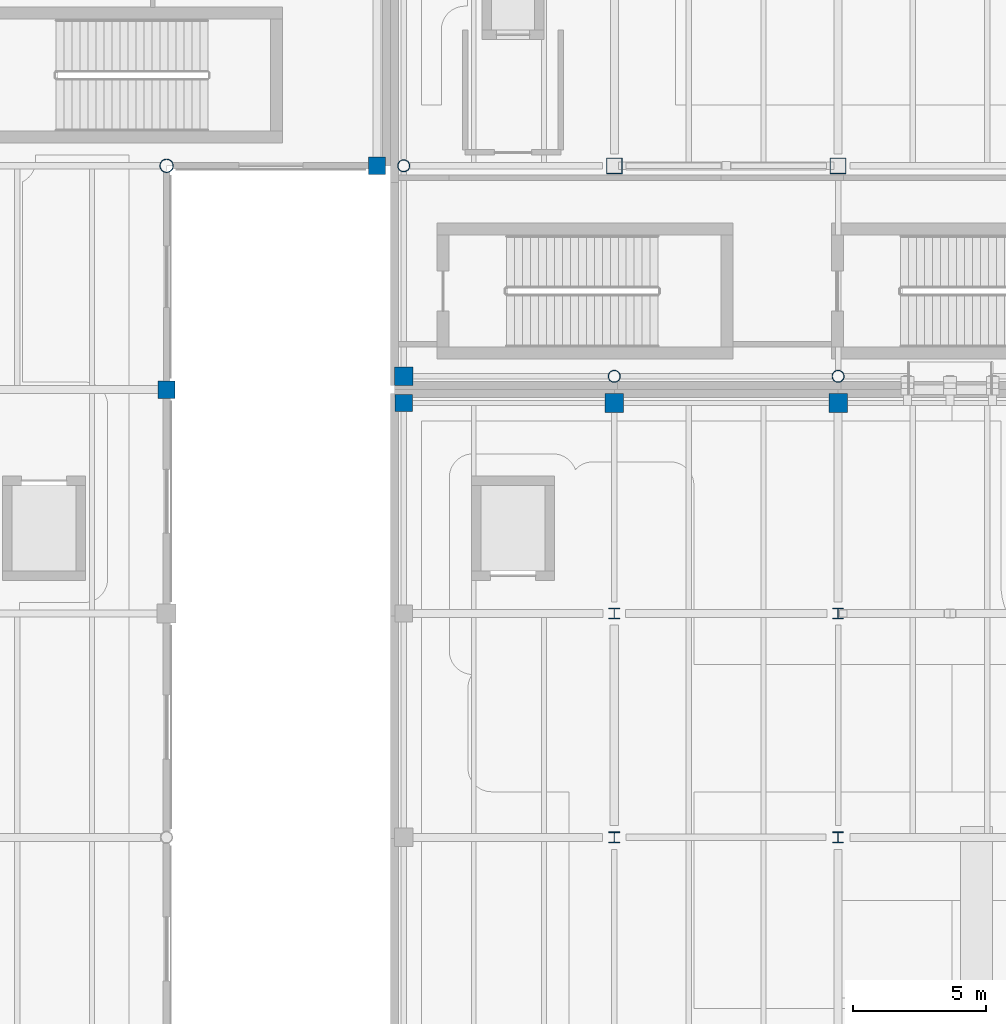
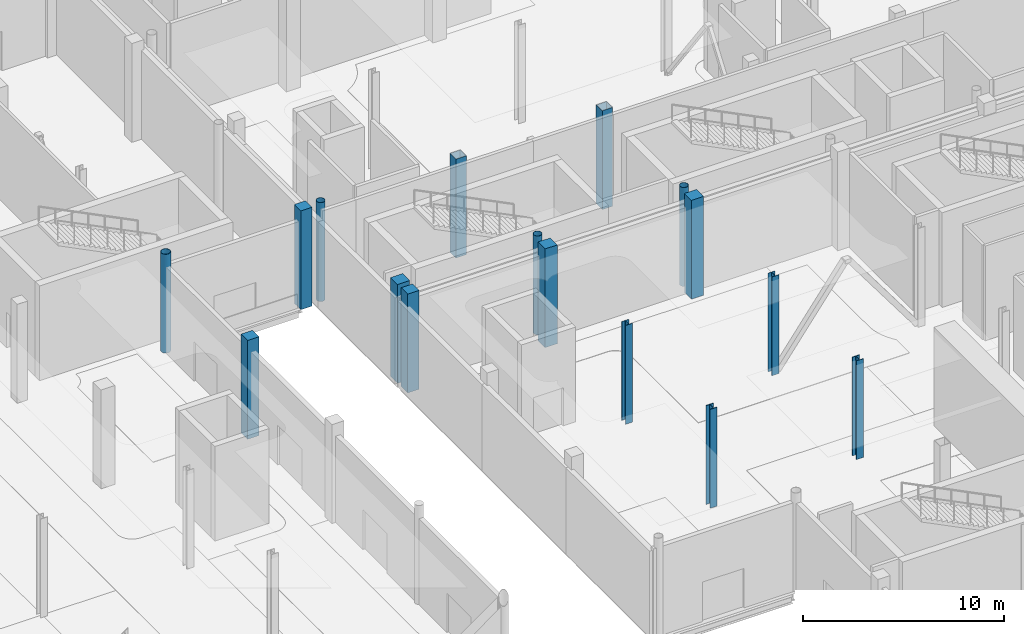
# One storey, part 6 of 85: 16 columns.
"""IFC4 building model written with IfcOpenShell, lengths in metres."""

from ifc_helpers import new_model, si_unit, direction, frame, origin, origin_2d, place, context, subcontext, project, spatial, rectangle, hollow_rectangle, hollow_circle, i_section, extrude, material, material_profile, profile_set, type_object, element, save


model = new_model("IFC4")

# Units and contexts
model_context = context("Model", 3, precision=1e-05, world=origin(), true_north=direction((0.0, 1.0)))
body_context = subcontext(model_context, "Body", "Model", "MODEL_VIEW")
ifc_project = project(units=[si_unit("LENGTHUNIT", "METRE"), si_unit("AREAUNIT", "SQUARE_METRE"), si_unit("VOLUMEUNIT", "CUBIC_METRE"), si_unit("PLANEANGLEUNIT", "RADIAN"), si_unit("MASSUNIT", "GRAM", prefix="KILO"), si_unit("THERMODYNAMICTEMPERATUREUNIT", "KELVIN")], contexts=[model_context])

# Site, building, storey
site_placement = place(None, origin())
site = spatial("IfcSite", under=ifc_project, at=site_placement, CompositionType="ELEMENT")
building_placement = place(site_placement, origin())
building = spatial("IfcBuilding", under=site, at=building_placement, Name="Lustrewick Department Store", CompositionType="ELEMENT")
storey_placement = place(building_placement, origin())
storey = spatial("IfcBuildingStorey", under=building, at=storey_placement, Name="L01", CompositionType="ELEMENT", Elevation=0.0)

# Columns
ifc_material_1 = material(Name="Structural steel Q355C", Category="steel")
ifc_material_profile_1 = material_profile(ifc_material_1, hollow_rectangle(XDim=0.60009765625, YDim=0.60009765625, WallThickness=0.02392578125, at=origin_2d()), Name="BOX 600x600x24")
ifc_profile_set_1 = profile_set([ifc_material_profile_1], Name="Structural steel Q355C")
column_type_1 = type_object("IfcColumnType", Name="C04", PredefinedType="COLUMN", material=ifc_profile_set_1)
for number, where, z_axis, x_axis, name in (
    (1, (117.60009765625, 58.800048828125, 0.0), (0.0, 0.0, 1.0), (1.0, 0.0, 0.0), "L01 V4 Column C04"),
    (2, (126.0, 58.800048828125, 0.0), (0.0, 0.0, 1.0), (1.0, 0.0, 0.0), "L01 V4 Column C04"),
):
    element("IfcColumn", number, at=place(storey_placement, frame(where, z_axis=z_axis, x_axis=x_axis)), inside=storey, type_object=column_type_1, Name=name, PredefinedType="COLUMN", context=body_context, shape_type="SweptSolid", body=[
        extrude(hollow_rectangle(XDim=0.60009765625, YDim=0.60009765625, WallThickness=0.02392578125, at=origin_2d()), origin(), (0.0, 0.0, 1.0), 6.0),
    ])
ifc_material_profile_2 = material_profile(ifc_material_1, i_section(OverallWidth=0.405029296875, OverallDepth=0.4140625, WebThickness=0.01806640625, FlangeThickness=0.028076171875, FilletRadius=0.02197265625, at=origin_2d()), Name="HW 414x405x18x28")
ifc_profile_set_2 = profile_set([ifc_material_profile_2], Name="Structural steel Q355C")
column_type_2 = type_object("IfcColumnType", Name="C10", PredefinedType="COLUMN", material=ifc_profile_set_2)
for number, where, z_axis, x_axis, name in (
    (3, (117.60009765625, 33.60009765625, 0.0), (0.0, 0.0, 1.0), (1.0, 0.0, 0.0), "L01 V3 Column C10"),
    (4, (126.0, 33.60009765625, 0.0), (0.0, 0.0, 1.0), (1.0, 0.0, 0.0), "L01 V3 Column C10"),
):
    element("IfcColumn", number, at=place(storey_placement, frame(where, z_axis=z_axis, x_axis=x_axis)), inside=storey, type_object=column_type_2, Name=name, PredefinedType="COLUMN", context=body_context, shape_type="SweptSolid", body=[
        extrude(i_section(OverallWidth=0.405029296875, OverallDepth=0.4140625, WebThickness=0.01806640625, FlangeThickness=0.028076171875, FilletRadius=0.02197265625, at=origin_2d()), origin(), (0.0, 0.0, 1.0), 6.0),
    ])
ifc_material_2 = material(Name="Structural steel Q355B", Category="steel")
ifc_material_profile_3 = material_profile(ifc_material_2, i_section(OverallWidth=0.39990234375, OverallDepth=0.39990234375, WebThickness=0.012939453125, FlangeThickness=0.02099609375, FilletRadius=0.02197265625, at=origin_2d()), Name="HW 400x400x13x21")
ifc_profile_set_3 = profile_set([ifc_material_profile_3], Name="Structural steel Q355B")
column_type_3 = type_object("IfcColumnType", Name="C11", PredefinedType="COLUMN", material=ifc_profile_set_3)
for number, where, z_axis, x_axis, name in (
    (5, (117.60009765625, 42.0, 0.0), (0.0, 0.0, 1.0), (1.0, 0.0, 0.0), "L01 V3 Column C11"),
    (6, (126.0, 42.0, 0.0), (0.0, 0.0, 1.0), (1.0, 0.0, 0.0), "L01 V3 Column C11"),
):
    element("IfcColumn", number, at=place(storey_placement, frame(where, z_axis=z_axis, x_axis=x_axis)), inside=storey, type_object=column_type_3, Name=name, PredefinedType="COLUMN", context=body_context, shape_type="SweptSolid", body=[
        extrude(i_section(OverallWidth=0.39990234375, OverallDepth=0.39990234375, WebThickness=0.012939453125, FlangeThickness=0.02099609375, FilletRadius=0.02197265625, at=origin_2d()), origin(), (0.0, 0.0, 1.0), 6.0),
    ])
ifc_material_profile_4 = material_profile(ifc_material_1, hollow_circle(Radius=0.25390625, WallThickness=0.01611328125, at=origin_2d()), Name="CHS 508x16")
ifc_profile_set_4 = profile_set([ifc_material_profile_4], Name="Structural steel Q355C")
column_type_4 = type_object("IfcColumnType", Name="CE01", PredefinedType="COLUMN", material=ifc_profile_set_4)
column_placement = place(storey_placement, frame((100.800048828125, 58.800048828125, 0.0), z_axis=(0.0, 0.0, 1.0), x_axis=(1.0, 0.0, 0.0)))
element("IfcColumn", 7, at=column_placement, inside=storey, type_object=column_type_4, Name="L01 V2 Column CE01", PredefinedType="COLUMN", context=body_context, shape_type="SweptSolid", body=[
    extrude(hollow_circle(Radius=0.25390625, WallThickness=0.01611328125, at=origin_2d()), origin(), (0.0, 0.0, 1.0), 6.0),
])
ifc_material_profile_5 = material_profile(ifc_material_1, hollow_circle(Radius=0.228515625, WallThickness=0.01611328125, at=origin_2d()), Name="CHS 457x16")
ifc_profile_set_5 = profile_set([ifc_material_profile_5], Name="Structural steel Q355C")
column_type_5 = type_object("IfcColumnType", Name="CE02", PredefinedType="COLUMN", material=ifc_profile_set_5)
for number, where, z_axis, x_axis, name in (
    (8, (109.699951171875, 58.800048828125, 0.0), (0.0, 0.0, 1.0), (1.0, 0.0, 0.0), "L01 V4 Column CE02"),
    (9, (117.60009765625, 50.89990234375, 0.0), (0.0, 0.0, 1.0), (1.0, 0.0, 0.0), "L01 V4 Column CE02"),
    (10, (126.0, 50.89990234375, 0.0), (0.0, 0.0, 1.0), (1.0, 0.0, 0.0), "L01 V4 Column CE02"),
):
    element("IfcColumn", number, at=place(storey_placement, frame(where, z_axis=z_axis, x_axis=x_axis)), inside=storey, type_object=column_type_5, Name=name, PredefinedType="COLUMN", context=body_context, shape_type="SweptSolid", body=[
        extrude(hollow_circle(Radius=0.228515625, WallThickness=0.01611328125, at=origin_2d()), origin(), (0.0, 0.0, 1.0), 6.0),
    ])
ifc_material_3 = material(Name="Concrete C40", Category="concrete")
ifc_material_profile_6 = material_profile(ifc_material_3, rectangle(XDim=0.699951171875, YDim=0.699951171875, at=origin_2d()), Name="RC 700x700")
ifc_profile_set_6 = profile_set([ifc_material_profile_6], Name="Concrete C40")
column_type_6 = type_object("IfcColumnType", Name="CE06", PredefinedType="COLUMN", material=ifc_profile_set_6)
for number, where, z_axis, x_axis, name in (
    (11, (117.60009765625, 49.89990234375, 0.0), (0.0, 0.0, 1.0), (1.0, 0.0, 0.0), "L01 V3 Column CE06"),
    (12, (126.0, 49.89990234375, 0.0), (0.0, 0.0, 1.0), (1.0, 0.0, 0.0), "L01 V3 Column CE06"),
    (13, (109.699951171875, 50.89990234375, 0.0), (0.0, 0.0, 1.0), (1.0, 0.0, 0.0), "L01 V4 Column CE06"),
):
    element("IfcColumn", number, at=place(storey_placement, frame(where, z_axis=z_axis, x_axis=x_axis)), inside=storey, type_object=column_type_6, Name=name, PredefinedType="COLUMN", context=body_context, shape_type="SweptSolid", body=[
        extrude(rectangle(XDim=0.699951171875, YDim=0.699951171875, at=origin_2d()), origin(), (0.0, 0.0, 1.0), 6.0),
    ])
ifc_material_profile_7 = material_profile(ifc_material_3, rectangle(XDim=0.64990234375, YDim=0.64990234375, at=origin_2d()), Name="RC 650x650")
ifc_profile_set_7 = profile_set([ifc_material_profile_7], Name="Concrete C40")
column_type_7 = type_object("IfcColumnType", Name="CE07", PredefinedType="COLUMN", material=ifc_profile_set_7)
for number, where, z_axis, x_axis, name in (
    (14, (100.800048828125, 50.39990234375, 0.0), (0.0, 0.0, 1.0), (1.0, 0.0, 0.0), "L01 V2 Column CE07"),
    (15, (108.699951171875, 58.800048828125, 0.0), (0.0, 0.0, 1.0), (1.0, 0.0, 0.0), "L01 V2 Column CE07"),
    (16, (109.699951171875, 49.89990234375, 0.0), (0.0, 0.0, 1.0), (1.0, 0.0, 0.0), "L01 V3 Column CE07"),
):
    element("IfcColumn", number, at=place(storey_placement, frame(where, z_axis=z_axis, x_axis=x_axis)), inside=storey, type_object=column_type_7, Name=name, PredefinedType="COLUMN", context=body_context, shape_type="SweptSolid", body=[
        extrude(rectangle(XDim=0.64990234375, YDim=0.64990234375, at=origin_2d()), origin(), (0.0, 0.0, 1.0), 6.0),
    ])

save(model, "model.ifc")
